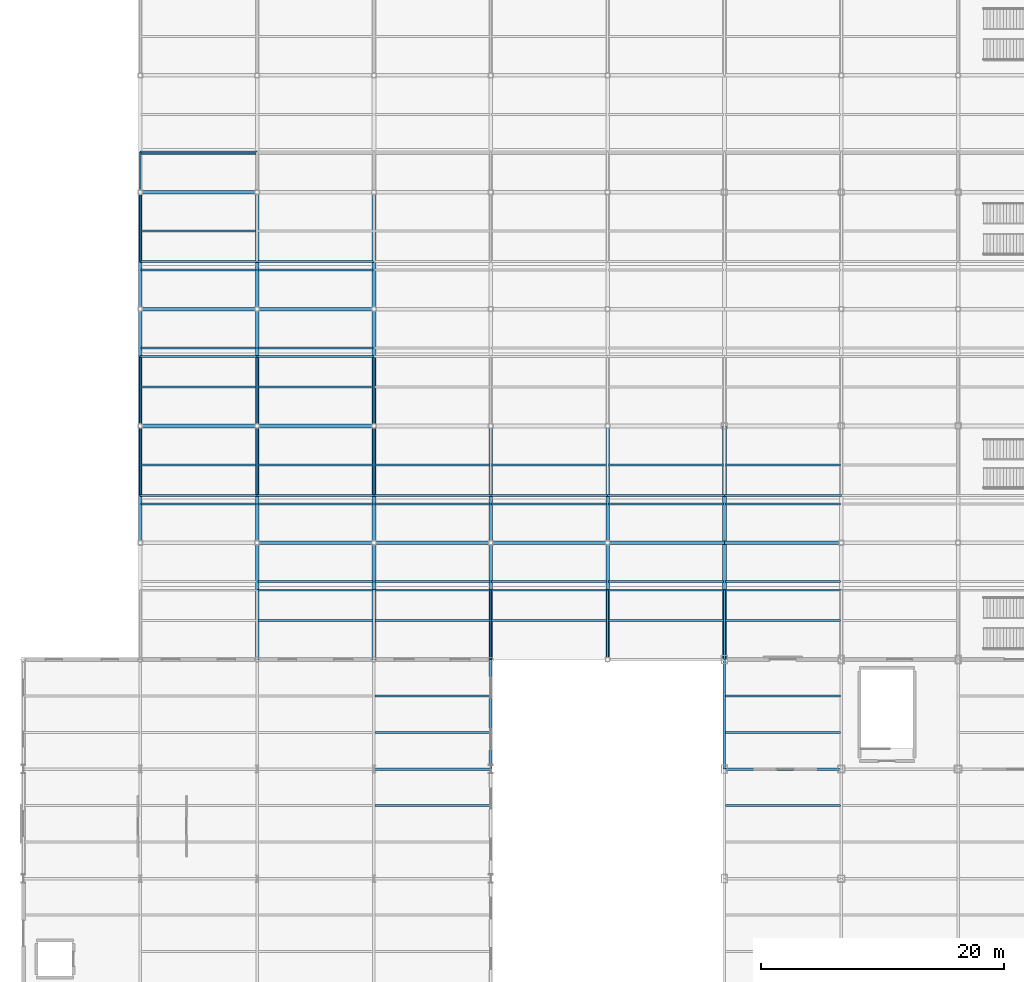
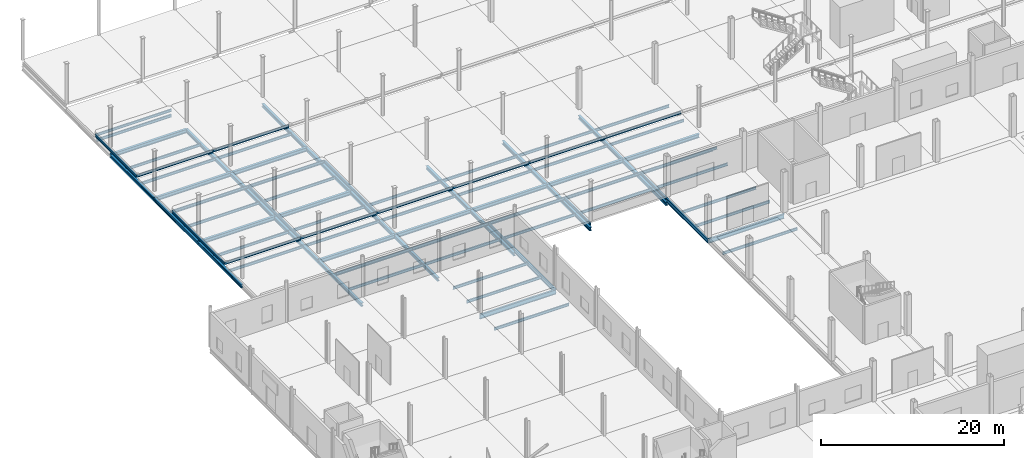
# One storey, part 29 of 85: 90 beams.
"""IFC4 building model written with IfcOpenShell, lengths in metres."""

from ifc_helpers import new_model, si_unit, direction, frame, origin, origin_2d, place, context, subcontext, project, spatial, i_section, extrude, material, material_profile, profile_set, type_object, element, save


model = new_model("IFC4")

# Units and contexts
model_context = context("Model", 3, precision=1e-05, world=origin(), true_north=direction((0.0, 1.0)))
body_context = subcontext(model_context, "Body", "Model", "MODEL_VIEW")
ifc_project = project(units=[si_unit("LENGTHUNIT", "METRE"), si_unit("AREAUNIT", "SQUARE_METRE"), si_unit("VOLUMEUNIT", "CUBIC_METRE"), si_unit("PLANEANGLEUNIT", "RADIAN"), si_unit("MASSUNIT", "GRAM", prefix="KILO")], contexts=[model_context])

# Site, building, storey
site_placement = place(None, origin())
site = spatial("IfcSite", under=ifc_project, at=site_placement, CompositionType="ELEMENT")
building_placement = place(site_placement, origin())
building = spatial("IfcBuilding", under=site, at=building_placement, Name="Zarnetskaya Central Station", CompositionType="ELEMENT")
storey_placement = place(building_placement, origin())
storey = spatial("IfcBuildingStorey", under=building, at=storey_placement, Name="L00", CompositionType="ELEMENT", Elevation=0.0)

# Beams
ifc_material = material(Name="Steel S355", Category="steel")
ifc_material_profile_1 = material_profile(ifc_material, i_section(OverallWidth=0.159912109375, OverallDepth=0.330078125, WebThickness=0.007568359375, FlangeThickness=0.011474609375, FilletRadius=0.01806640625, at=origin_2d()), Name="IPE 330")
ifc_profile_set_1 = profile_set([ifc_material_profile_1], Name="Steel S355")
beam_type_1 = type_object("IfcBeamType", Name="BM-SEC-330", PredefinedType="BEAM", material=ifc_profile_set_1)
for number, where, z_axis, x_axis, name in (
    (1, (38.39990234375, 67.199951171875, -0.455078125), (0.0, 1.0, 0.0), (-1.0, 0.0, 0.0), "Platform transverse bearer GY-PLT-P1-E"),
    (2, (48.0, 67.199951171875, -0.465087890625), (0.0, 1.0, 0.0), (-1.0, 0.0, 0.0), "Platform transverse bearer GY-PLT-P1-F"),
    (3, (57.60009765625, 67.199951171875, -0.465087890625), (0.0, 1.0, 0.0), (-1.0, 0.0, 0.0), "Platform transverse bearer GY-PLT-P1-G"),
):
    element("IfcBeam", number, at=place(storey_placement, frame(where, z_axis=z_axis, x_axis=x_axis)), inside=storey, type_object=beam_type_1, Name=name, PredefinedType="BEAM", context=body_context, shape_type="SweptSolid", body=[
        extrude(i_section(OverallWidth=0.159912109375, OverallDepth=0.330078125, WebThickness=0.007568359375, FlangeThickness=0.011474609375, FilletRadius=0.01806640625, at=origin_2d()), origin(), (0.0, 0.0, 1.0), 5.699951171875),
    ])
beam_1_placement = place(storey_placement, frame((19.199951171875, 72.89990234375, -0.455078125), z_axis=(1.0, 0.0, 0.0), x_axis=(0.0, 1.0, 0.0)))
element("IfcBeam", 4, at=beam_1_placement, inside=storey, type_object=beam_type_1, Name="Platform north edge beam GX-PLT-P1-CD-N", PredefinedType="BEAM", context=body_context, shape_type="SweptSolid", body=[
    extrude(i_section(OverallWidth=0.159912109375, OverallDepth=0.330078125, WebThickness=0.007568359375, FlangeThickness=0.011474609375, FilletRadius=0.01806640625, at=origin_2d()), origin(), (0.0, 0.0, 1.0), 9.60009765625),
])
beam_2_placement = place(storey_placement, frame((28.800048828125, 72.89990234375, -0.455078125), z_axis=(1.0, 0.0, 0.0), x_axis=(0.0, 1.0, 0.0)))
element("IfcBeam", 5, at=beam_2_placement, inside=storey, type_object=beam_type_1, Name="Platform north edge beam GX-PLT-P1-DE-N", PredefinedType="BEAM", context=body_context, shape_type="SweptSolid", body=[
    extrude(i_section(OverallWidth=0.159912109375, OverallDepth=0.330078125, WebThickness=0.007568359375, FlangeThickness=0.011474609375, FilletRadius=0.01806640625, at=origin_2d()), origin(), (0.0, 0.0, 1.0), 9.599853515625),
])
for number, where, z_axis, x_axis, name in (
    (6, (38.39990234375, 72.89990234375, -0.455078125), (1.0, 0.0, 0.0), (0.0, 1.0, 0.0), "Platform north edge beam GX-PLT-P1-EF-N"),
    (7, (48.0, 72.89990234375, -0.465087890625), (1.0, 0.0, 0.0), (0.0, 1.0, 0.0), "Platform north edge beam GX-PLT-P1-FG-N"),
):
    element("IfcBeam", number, at=place(storey_placement, frame(where, z_axis=z_axis, x_axis=x_axis)), inside=storey, type_object=beam_type_1, Name=name, PredefinedType="BEAM", context=body_context, shape_type="SweptSolid", body=[
        extrude(i_section(OverallWidth=0.159912109375, OverallDepth=0.330078125, WebThickness=0.007568359375, FlangeThickness=0.011474609375, FilletRadius=0.01806640625, at=origin_2d()), origin(), (0.0, 0.0, 1.0), 9.60009765625),
    ])
beam_3_placement = place(storey_placement, frame((57.60009765625, 72.89990234375, -0.465087890625), z_axis=(1.0, 0.0, 0.0), x_axis=(0.0, 1.0, 0.0)))
element("IfcBeam", 8, at=beam_3_placement, inside=storey, type_object=beam_type_1, Name="Platform north edge beam GX-PLT-P1-GH-N", PredefinedType="BEAM", context=body_context, shape_type="SweptSolid", body=[
    extrude(i_section(OverallWidth=0.159912109375, OverallDepth=0.330078125, WebThickness=0.007568359375, FlangeThickness=0.011474609375, FilletRadius=0.01806640625, at=origin_2d()), origin(), (0.0, 0.0, 1.0), 9.599853515625),
])
for number, where, z_axis, x_axis, name in (
    (9, (9.60009765625, 80.699951171875, -0.455078125), (0.0, 1.0, 0.0), (-1.0, 0.0, 0.0), "Platform transverse bearer GY-PLT-P2-B"),
    (10, (19.199951171875, 80.699951171875, -0.455078125), (0.0, 1.0, 0.0), (-1.0, 0.0, 0.0), "Platform transverse bearer GY-PLT-P2-C"),
    (11, (28.800048828125, 80.699951171875, -0.455078125), (0.0, 1.0, 0.0), (-1.0, 0.0, 0.0), "Platform transverse bearer GY-PLT-P2-D"),
):
    element("IfcBeam", number, at=place(storey_placement, frame(where, z_axis=z_axis, x_axis=x_axis)), inside=storey, type_object=beam_type_1, Name=name, PredefinedType="BEAM", context=body_context, shape_type="SweptSolid", body=[
        extrude(i_section(OverallWidth=0.159912109375, OverallDepth=0.330078125, WebThickness=0.007568359375, FlangeThickness=0.011474609375, FilletRadius=0.01806640625, at=origin_2d()), origin(), (0.0, 0.0, 1.0), 11.400146484375),
    ])
for number, where, z_axis, x_axis, name in (
    (12, (9.60009765625, 80.699951171875, -0.455078125), (1.0, 0.0, 0.0), (0.0, 1.0, 0.0), "Platform south edge beam GX-PLT-P2-BC-S"),
    (13, (9.60009765625, 92.10009765625, -0.455078125), (1.0, 0.0, 0.0), (0.0, 1.0, 0.0), "Platform north edge beam GX-PLT-P2-BC-N"),
):
    element("IfcBeam", number, at=place(storey_placement, frame(where, z_axis=z_axis, x_axis=x_axis)), inside=storey, type_object=beam_type_1, Name=name, PredefinedType="BEAM", context=body_context, shape_type="SweptSolid", body=[
        extrude(i_section(OverallWidth=0.159912109375, OverallDepth=0.330078125, WebThickness=0.007568359375, FlangeThickness=0.011474609375, FilletRadius=0.01806640625, at=origin_2d()), origin(), (0.0, 0.0, 1.0), 9.599853515625),
    ])
for number, where, z_axis, x_axis, name in (
    (14, (19.199951171875, 80.699951171875, -0.455078125), (1.0, 0.0, 0.0), (0.0, 1.0, 0.0), "Platform south edge beam GX-PLT-P2-CD-S"),
    (15, (19.199951171875, 92.10009765625, -0.455078125), (1.0, 0.0, 0.0), (0.0, 1.0, 0.0), "Platform north edge beam GX-PLT-P2-CD-N"),
):
    element("IfcBeam", number, at=place(storey_placement, frame(where, z_axis=z_axis, x_axis=x_axis)), inside=storey, type_object=beam_type_1, Name=name, PredefinedType="BEAM", context=body_context, shape_type="SweptSolid", body=[
        extrude(i_section(OverallWidth=0.159912109375, OverallDepth=0.330078125, WebThickness=0.007568359375, FlangeThickness=0.011474609375, FilletRadius=0.01806640625, at=origin_2d()), origin(), (0.0, 0.0, 1.0), 9.60009765625),
    ])
beam_4_placement = place(storey_placement, frame((28.800048828125, 80.699951171875, -0.455078125), z_axis=(1.0, 0.0, 0.0), x_axis=(0.0, 1.0, 0.0)))
element("IfcBeam", 16, at=beam_4_placement, inside=storey, type_object=beam_type_1, Name="Platform south edge beam GX-PLT-P2-DE-S", PredefinedType="BEAM", context=body_context, shape_type="SweptSolid", body=[
    extrude(i_section(OverallWidth=0.159912109375, OverallDepth=0.330078125, WebThickness=0.007568359375, FlangeThickness=0.011474609375, FilletRadius=0.01806640625, at=origin_2d()), origin(), (0.0, 0.0, 1.0), 9.599853515625),
])
for number, where, z_axis, x_axis, name in (
    (17, (38.39990234375, 80.699951171875, -0.455078125), (1.0, 0.0, 0.0), (0.0, 1.0, 0.0), "Platform south edge beam GX-PLT-P2-EF-S"),
    (18, (48.0, 80.699951171875, -0.465087890625), (1.0, 0.0, 0.0), (0.0, 1.0, 0.0), "Platform south edge beam GX-PLT-P2-FG-S"),
):
    element("IfcBeam", number, at=place(storey_placement, frame(where, z_axis=z_axis, x_axis=x_axis)), inside=storey, type_object=beam_type_1, Name=name, PredefinedType="BEAM", context=body_context, shape_type="SweptSolid", body=[
        extrude(i_section(OverallWidth=0.159912109375, OverallDepth=0.330078125, WebThickness=0.007568359375, FlangeThickness=0.011474609375, FilletRadius=0.01806640625, at=origin_2d()), origin(), (0.0, 0.0, 1.0), 9.60009765625),
    ])
beam_5_placement = place(storey_placement, frame((57.60009765625, 80.699951171875, -0.465087890625), z_axis=(1.0, 0.0, 0.0), x_axis=(0.0, 1.0, 0.0)))
element("IfcBeam", 19, at=beam_5_placement, inside=storey, type_object=beam_type_1, Name="Platform south edge beam GX-PLT-P2-GH-S", PredefinedType="BEAM", context=body_context, shape_type="SweptSolid", body=[
    extrude(i_section(OverallWidth=0.159912109375, OverallDepth=0.330078125, WebThickness=0.007568359375, FlangeThickness=0.011474609375, FilletRadius=0.01806640625, at=origin_2d()), origin(), (0.0, 0.0, 1.0), 9.599853515625),
])
beam_6_placement = place(storey_placement, frame((9.60009765625, 99.89990234375, -0.455078125), z_axis=(0.0, 1.0, 0.0), x_axis=(-1.0, 0.0, 0.0)))
element("IfcBeam", 20, at=beam_6_placement, inside=storey, type_object=beam_type_1, Name="Platform transverse bearer GY-PLT-P3-B", PredefinedType="BEAM", context=body_context, shape_type="SweptSolid", body=[
    extrude(i_section(OverallWidth=0.159912109375, OverallDepth=0.330078125, WebThickness=0.007568359375, FlangeThickness=0.011474609375, FilletRadius=0.01806640625, at=origin_2d()), origin(), (0.0, 0.0, 1.0), 9.0),
])
for number, where, z_axis, x_axis, name in (
    (21, (9.60009765625, 99.89990234375, -0.455078125), (1.0, 0.0, 0.0), (0.0, 1.0, 0.0), "Platform south edge beam GX-PLT-P3-BC-S"),
    (22, (9.60009765625, 108.89990234375, -0.455078125), (1.0, 0.0, 0.0), (0.0, 1.0, 0.0), "Platform north edge beam GX-PLT-P3-BC-N"),
):
    element("IfcBeam", number, at=place(storey_placement, frame(where, z_axis=z_axis, x_axis=x_axis)), inside=storey, type_object=beam_type_1, Name=name, PredefinedType="BEAM", context=body_context, shape_type="SweptSolid", body=[
        extrude(i_section(OverallWidth=0.159912109375, OverallDepth=0.330078125, WebThickness=0.007568359375, FlangeThickness=0.011474609375, FilletRadius=0.01806640625, at=origin_2d()), origin(), (0.0, 0.0, 1.0), 9.599853515625),
    ])
beam_7_placement = place(storey_placement, frame((19.199951171875, 99.89990234375, -0.455078125), z_axis=(1.0, 0.0, 0.0), x_axis=(0.0, 1.0, 0.0)))
element("IfcBeam", 23, at=beam_7_placement, inside=storey, type_object=beam_type_1, Name="Platform south edge beam GX-PLT-P3-CD-S", PredefinedType="BEAM", context=body_context, shape_type="SweptSolid", body=[
    extrude(i_section(OverallWidth=0.159912109375, OverallDepth=0.330078125, WebThickness=0.007568359375, FlangeThickness=0.011474609375, FilletRadius=0.01806640625, at=origin_2d()), origin(), (0.0, 0.0, 1.0), 9.60009765625),
])
ifc_material_profile_2 = material_profile(ifc_material, i_section(OverallWidth=0.169921875, OverallDepth=0.360107421875, WebThickness=0.008056640625, FlangeThickness=0.0126953125, FilletRadius=0.01806640625, at=origin_2d()), Name="IPE 360")
ifc_profile_set_2 = profile_set([ifc_material_profile_2], Name="Steel S355")
beam_type_2 = type_object("IfcBeamType", Name="BM-SEC-360", PredefinedType="BEAM", material=ifc_profile_set_2)
for number, where, z_axis, x_axis, name in (
    (24, (28.8798828125, 55.199951171875, -0.5), (1.0, 0.0, 0.0), (0.0, 1.0, 0.0), "Secondary floor beam SEC-L00-Z32-DE-78-2"),
    (25, (28.8798828125, 61.199951171875, -0.5), (1.0, 0.0, 0.0), (0.0, 1.0, 0.0), "Secondary floor beam SEC-L00-Z32-DE-89-1"),
    (26, (28.8798828125, 64.199951171875, -0.5), (1.0, 0.0, 0.0), (0.0, 1.0, 0.0), "Secondary floor beam SEC-L00-Z32-DE-89-2"),
    (27, (57.679931640625, 55.199951171875, -0.5), (1.0, 0.0, 0.0), (0.0, 1.0, 0.0), "Secondary floor beam SEC-L00-Z32-GH-78-2"),
    (28, (57.679931640625, 61.199951171875, -0.5), (1.0, 0.0, 0.0), (0.0, 1.0, 0.0), "Secondary floor beam SEC-L00-Z32-GH-89-1"),
    (29, (57.679931640625, 64.199951171875, -0.5), (1.0, 0.0, 0.0), (0.0, 1.0, 0.0), "Secondary floor beam SEC-L00-Z32-GH-89-2"),
    (30, (9.679931640625, 80.0, -1.090087890625), (1.0, 0.0, 0.0), (0.0, 1.0, 0.0), "Secondary floor beam SEC-L00-Z91-BC-1011-1"),
    (31, (9.679931640625, 83.199951171875, -1.090087890625), (1.0, 0.0, 0.0), (0.0, 1.0, 0.0), "Secondary floor beam SEC-L00-Z91-BC-1011-2"),
    (32, (9.679931640625, 89.60009765625, -1.090087890625), (1.0, 0.0, 0.0), (0.0, 1.0, 0.0), "Secondary floor beam SEC-L00-Z91-BC-1112-1"),
    (33, (9.679931640625, 92.800048828125, -1.090087890625), (1.0, 0.0, 0.0), (0.0, 1.0, 0.0), "Secondary floor beam SEC-L00-Z91-BC-1112-2"),
    (34, (9.679931640625, 99.199951171875, -1.090087890625), (1.0, 0.0, 0.0), (0.0, 1.0, 0.0), "Secondary floor beam SEC-L00-Z91-BC-1213-1"),
    (35, (9.679931640625, 102.39990234375, -1.090087890625), (1.0, 0.0, 0.0), (0.0, 1.0, 0.0), "Secondary floor beam SEC-L00-Z91-BC-1213-2"),
    (36, (9.679931640625, 108.800048828125, -1.090087890625), (1.0, 0.0, 0.0), (0.0, 1.0, 0.0), "Secondary floor beam SEC-L00-Z91-BC-1314-1"),
):
    element("IfcBeam", number, at=place(storey_placement, frame(where, z_axis=z_axis, x_axis=x_axis)), inside=storey, type_object=beam_type_2, Name=name, PredefinedType="BEAM", context=body_context, shape_type="SweptSolid", body=[
        extrude(i_section(OverallWidth=0.169921875, OverallDepth=0.360107421875, WebThickness=0.008056640625, FlangeThickness=0.0126953125, FilletRadius=0.01806640625, at=origin_2d()), origin(), (0.0, 0.0, 1.0), 9.440185546875),
    ])
for number, where, z_axis, x_axis, name in (
    (37, (19.280029296875, 70.39990234375, -1.090087890625), (1.0, 0.0, 0.0), (0.0, 1.0, 0.0), "Secondary floor beam SEC-L00-Z91-CD-910-1"),
    (38, (19.280029296875, 73.60009765625, -1.090087890625), (1.0, 0.0, 0.0), (0.0, 1.0, 0.0), "Secondary floor beam SEC-L00-Z91-CD-910-2"),
    (39, (19.280029296875, 80.0, -1.090087890625), (1.0, 0.0, 0.0), (0.0, 1.0, 0.0), "Secondary floor beam SEC-L00-Z91-CD-1011-1"),
    (40, (19.280029296875, 83.199951171875, -1.090087890625), (1.0, 0.0, 0.0), (0.0, 1.0, 0.0), "Secondary floor beam SEC-L00-Z91-CD-1011-2"),
    (41, (19.280029296875, 89.60009765625, -1.090087890625), (1.0, 0.0, 0.0), (0.0, 1.0, 0.0), "Secondary floor beam SEC-L00-Z91-CD-1112-1"),
    (42, (19.280029296875, 92.800048828125, -1.090087890625), (1.0, 0.0, 0.0), (0.0, 1.0, 0.0), "Secondary floor beam SEC-L00-Z91-CD-1112-2"),
    (43, (19.280029296875, 99.199951171875, -1.090087890625), (1.0, 0.0, 0.0), (0.0, 1.0, 0.0), "Secondary floor beam SEC-L00-Z91-CD-1213-1"),
):
    element("IfcBeam", number, at=place(storey_placement, frame(where, z_axis=z_axis, x_axis=x_axis)), inside=storey, type_object=beam_type_2, Name=name, PredefinedType="BEAM", context=body_context, shape_type="SweptSolid", body=[
        extrude(i_section(OverallWidth=0.169921875, OverallDepth=0.360107421875, WebThickness=0.008056640625, FlangeThickness=0.0126953125, FilletRadius=0.01806640625, at=origin_2d()), origin(), (0.0, 0.0, 1.0), 9.43994140625),
    ])
for number, where, z_axis, x_axis, name in (
    (44, (28.8798828125, 70.39990234375, -1.090087890625), (1.0, 0.0, 0.0), (0.0, 1.0, 0.0), "Secondary floor beam SEC-L00-Z91-DE-910-1"),
    (45, (28.8798828125, 73.60009765625, -1.090087890625), (1.0, 0.0, 0.0), (0.0, 1.0, 0.0), "Secondary floor beam SEC-L00-Z91-DE-910-2"),
    (46, (28.8798828125, 80.0, -1.090087890625), (1.0, 0.0, 0.0), (0.0, 1.0, 0.0), "Secondary floor beam SEC-L00-Z91-DE-1011-1"),
    (47, (28.8798828125, 83.199951171875, -1.090087890625), (1.0, 0.0, 0.0), (0.0, 1.0, 0.0), "Secondary floor beam SEC-L00-Z91-DE-1011-2"),
):
    element("IfcBeam", number, at=place(storey_placement, frame(where, z_axis=z_axis, x_axis=x_axis)), inside=storey, type_object=beam_type_2, Name=name, PredefinedType="BEAM", context=body_context, shape_type="SweptSolid", body=[
        extrude(i_section(OverallWidth=0.169921875, OverallDepth=0.360107421875, WebThickness=0.008056640625, FlangeThickness=0.0126953125, FilletRadius=0.01806640625, at=origin_2d()), origin(), (0.0, 0.0, 1.0), 9.440185546875),
    ])
for number, where, z_axis, x_axis, name in (
    (48, (38.47998046875, 70.39990234375, -1.090087890625), (1.0, 0.0, 0.0), (0.0, 1.0, 0.0), "Secondary floor beam SEC-L00-Z91-EF-910-1"),
    (49, (38.47998046875, 73.60009765625, -1.090087890625), (1.0, 0.0, 0.0), (0.0, 1.0, 0.0), "Secondary floor beam SEC-L00-Z91-EF-910-2"),
    (50, (38.47998046875, 80.0, -1.090087890625), (1.0, 0.0, 0.0), (0.0, 1.0, 0.0), "Secondary floor beam SEC-L00-Z91-EF-1011-1"),
    (51, (38.47998046875, 83.199951171875, -1.090087890625), (1.0, 0.0, 0.0), (0.0, 1.0, 0.0), "Secondary floor beam SEC-L00-Z91-EF-1011-2"),
    (52, (48.080078125, 70.39990234375, -1.090087890625), (1.0, 0.0, 0.0), (0.0, 1.0, 0.0), "Secondary floor beam SEC-L00-Z91-FG-910-1"),
    (53, (48.080078125, 73.60009765625, -1.090087890625), (1.0, 0.0, 0.0), (0.0, 1.0, 0.0), "Secondary floor beam SEC-L00-Z91-FG-910-2"),
    (54, (48.080078125, 80.0, -1.090087890625), (1.0, 0.0, 0.0), (0.0, 1.0, 0.0), "Secondary floor beam SEC-L00-Z91-FG-1011-1"),
    (55, (48.080078125, 83.199951171875, -1.090087890625), (1.0, 0.0, 0.0), (0.0, 1.0, 0.0), "Secondary floor beam SEC-L00-Z91-FG-1011-2"),
):
    element("IfcBeam", number, at=place(storey_placement, frame(where, z_axis=z_axis, x_axis=x_axis)), inside=storey, type_object=beam_type_2, Name=name, PredefinedType="BEAM", context=body_context, shape_type="SweptSolid", body=[
        extrude(i_section(OverallWidth=0.169921875, OverallDepth=0.360107421875, WebThickness=0.008056640625, FlangeThickness=0.0126953125, FilletRadius=0.01806640625, at=origin_2d()), origin(), (0.0, 0.0, 1.0), 9.43994140625),
    ])
for number, where, z_axis, x_axis, name in (
    (56, (57.679931640625, 70.39990234375, -1.090087890625), (1.0, 0.0, 0.0), (0.0, 1.0, 0.0), "Secondary floor beam SEC-L00-Z91-GH-910-1"),
    (57, (57.679931640625, 73.60009765625, -1.090087890625), (1.0, 0.0, 0.0), (0.0, 1.0, 0.0), "Secondary floor beam SEC-L00-Z91-GH-910-2"),
    (58, (57.679931640625, 80.0, -1.090087890625), (1.0, 0.0, 0.0), (0.0, 1.0, 0.0), "Secondary floor beam SEC-L00-Z91-GH-1011-1"),
    (59, (57.679931640625, 83.199951171875, -1.090087890625), (1.0, 0.0, 0.0), (0.0, 1.0, 0.0), "Secondary floor beam SEC-L00-Z91-GH-1011-2"),
):
    element("IfcBeam", number, at=place(storey_placement, frame(where, z_axis=z_axis, x_axis=x_axis)), inside=storey, type_object=beam_type_2, Name=name, PredefinedType="BEAM", context=body_context, shape_type="SweptSolid", body=[
        extrude(i_section(OverallWidth=0.169921875, OverallDepth=0.360107421875, WebThickness=0.008056640625, FlangeThickness=0.0126953125, FilletRadius=0.01806640625, at=origin_2d()), origin(), (0.0, 0.0, 1.0), 9.440185546875),
    ])
ifc_material_profile_3 = material_profile(ifc_material, i_section(OverallWidth=0.2099609375, OverallDepth=0.550048828125, WebThickness=0.010986328125, FlangeThickness=0.01708984375, FilletRadius=0.02392578125, at=origin_2d()), Name="IPE 550")
ifc_profile_set_3 = profile_set([ifc_material_profile_3], Name="Steel S355")
beam_type_3 = type_object("IfcBeamType", Name="GD-FLR-550", PredefinedType="USERDEFINED", material=ifc_profile_set_3)
for number, where, z_axis, x_axis, name in (
    (60, (38.39990234375, 58.199951171875, -0.594970703125), (0.0, 1.0, 0.0), (-1.0, 0.0, 0.0), "Grid girder GY-L00-E-89"),
    (61, (57.60009765625, 58.199951171875, -0.594970703125), (0.0, 1.0, 0.0), (-1.0, 0.0, 0.0), "Grid girder GY-L00-G-89"),
):
    element("IfcBeam", number, at=place(storey_placement, frame(where, z_axis=z_axis, x_axis=x_axis)), inside=storey, type_object=beam_type_3, Name=name, ObjectType="GIRDER", PredefinedType="USERDEFINED", context=body_context, shape_type="SweptSolid", body=[
        extrude(i_section(OverallWidth=0.2099609375, OverallDepth=0.550048828125, WebThickness=0.010986328125, FlangeThickness=0.01708984375, FilletRadius=0.02392578125, at=origin_2d()), origin(), (0.0, 0.0, 1.0), 9.0),
    ])
ifc_material_profile_4 = material_profile(ifc_material, i_section(OverallWidth=0.219970703125, OverallDepth=0.60009765625, WebThickness=0.011962890625, FlangeThickness=0.01904296875, FilletRadius=0.02392578125, at=origin_2d()), Name="IPE 600")
ifc_profile_set_4 = profile_set([ifc_material_profile_4], Name="Steel S355")
beam_type_4 = type_object("IfcBeamType", Name="GD-FLR-600", PredefinedType="USERDEFINED", material=ifc_profile_set_4)
for number, where, z_axis, x_axis, name in (
    (62, (28.800048828125, 58.199951171875, -0.6201171875), (1.0, 0.0, 0.0), (0.0, 1.0, 0.0), "Grid girder GX-L00-8-DE"),
    (63, (57.60009765625, 58.199951171875, -0.6201171875), (1.0, 0.0, 0.0), (0.0, 1.0, 0.0), "Grid girder GX-L00-8-GH"),
):
    element("IfcBeam", number, at=place(storey_placement, frame(where, z_axis=z_axis, x_axis=x_axis)), inside=storey, type_object=beam_type_4, Name=name, ObjectType="GIRDER", PredefinedType="USERDEFINED", context=body_context, shape_type="SweptSolid", body=[
        extrude(i_section(OverallWidth=0.219970703125, OverallDepth=0.60009765625, WebThickness=0.011962890625, FlangeThickness=0.01904296875, FilletRadius=0.02392578125, at=origin_2d()), origin(), (0.0, 0.0, 1.0), 9.599853515625),
    ])
ifc_material_profile_5 = material_profile(ifc_material, i_section(OverallWidth=0.300048828125, OverallDepth=0.449951171875, WebThickness=0.013916015625, FlangeThickness=0.02587890625, FilletRadius=0.027099609375, at=origin_2d()), Name="HEB 450")
ifc_profile_set_5 = profile_set([ifc_material_profile_5], Name="Steel S355")
beam_type_5 = type_object("IfcBeamType", Name="GD-SUB-450", PredefinedType="USERDEFINED", material=ifc_profile_set_5)
beam_8_placement = place(storey_placement, frame((9.60009765625, 76.800048828125, -1.135009765625), z_axis=(0.0, 1.0, 0.0), x_axis=(-1.0, 0.0, 0.0)))
element("IfcBeam", 64, at=beam_8_placement, inside=storey, type_object=beam_type_5, Name="Grid girder GY-L00-B-1011", ObjectType="GIRDER", PredefinedType="USERDEFINED", context=body_context, shape_type="SweptSolid", body=[
    extrude(i_section(OverallWidth=0.300048828125, OverallDepth=0.449951171875, WebThickness=0.013916015625, FlangeThickness=0.02587890625, FilletRadius=0.027099609375, at=origin_2d()), origin(), (0.0, 0.0, 1.0), 9.599853515625),
])
for number, where, z_axis, x_axis, name in (
    (65, (9.60009765625, 86.39990234375, -1.135009765625), (0.0, 1.0, 0.0), (-1.0, 0.0, 0.0), "Grid girder GY-L00-B-1112"),
    (66, (9.60009765625, 96.0, -1.135009765625), (0.0, 1.0, 0.0), (-1.0, 0.0, 0.0), "Grid girder GY-L00-B-1213"),
    (67, (19.199951171875, 67.199951171875, -1.135009765625), (0.0, 1.0, 0.0), (-1.0, 0.0, 0.0), "Grid girder GY-L00-C-910"),
):
    element("IfcBeam", number, at=place(storey_placement, frame(where, z_axis=z_axis, x_axis=x_axis)), inside=storey, type_object=beam_type_5, Name=name, ObjectType="GIRDER", PredefinedType="USERDEFINED", context=body_context, shape_type="SweptSolid", body=[
        extrude(i_section(OverallWidth=0.300048828125, OverallDepth=0.449951171875, WebThickness=0.013916015625, FlangeThickness=0.02587890625, FilletRadius=0.027099609375, at=origin_2d()), origin(), (0.0, 0.0, 1.0), 9.60009765625),
    ])
beam_9_placement = place(storey_placement, frame((19.199951171875, 76.800048828125, -1.135009765625), z_axis=(0.0, 1.0, 0.0), x_axis=(-1.0, 0.0, 0.0)))
element("IfcBeam", 68, at=beam_9_placement, inside=storey, type_object=beam_type_5, Name="Grid girder GY-L00-C-1011", ObjectType="GIRDER", PredefinedType="USERDEFINED", context=body_context, shape_type="SweptSolid", body=[
    extrude(i_section(OverallWidth=0.300048828125, OverallDepth=0.449951171875, WebThickness=0.013916015625, FlangeThickness=0.02587890625, FilletRadius=0.027099609375, at=origin_2d()), origin(), (0.0, 0.0, 1.0), 9.599853515625),
])
for number, where, z_axis, x_axis, name in (
    (69, (19.199951171875, 86.39990234375, -1.135009765625), (0.0, 1.0, 0.0), (-1.0, 0.0, 0.0), "Grid girder GY-L00-C-1112"),
    (70, (19.199951171875, 96.0, -1.135009765625), (0.0, 1.0, 0.0), (-1.0, 0.0, 0.0), "Grid girder GY-L00-C-1213"),
    (71, (28.800048828125, 67.199951171875, -1.135009765625), (0.0, 1.0, 0.0), (-1.0, 0.0, 0.0), "Grid girder GY-L00-D-910"),
):
    element("IfcBeam", number, at=place(storey_placement, frame(where, z_axis=z_axis, x_axis=x_axis)), inside=storey, type_object=beam_type_5, Name=name, ObjectType="GIRDER", PredefinedType="USERDEFINED", context=body_context, shape_type="SweptSolid", body=[
        extrude(i_section(OverallWidth=0.300048828125, OverallDepth=0.449951171875, WebThickness=0.013916015625, FlangeThickness=0.02587890625, FilletRadius=0.027099609375, at=origin_2d()), origin(), (0.0, 0.0, 1.0), 9.60009765625),
    ])
beam_10_placement = place(storey_placement, frame((28.800048828125, 76.800048828125, -1.135009765625), z_axis=(0.0, 1.0, 0.0), x_axis=(-1.0, 0.0, 0.0)))
element("IfcBeam", 72, at=beam_10_placement, inside=storey, type_object=beam_type_5, Name="Grid girder GY-L00-D-1011", ObjectType="GIRDER", PredefinedType="USERDEFINED", context=body_context, shape_type="SweptSolid", body=[
    extrude(i_section(OverallWidth=0.300048828125, OverallDepth=0.449951171875, WebThickness=0.013916015625, FlangeThickness=0.02587890625, FilletRadius=0.027099609375, at=origin_2d()), origin(), (0.0, 0.0, 1.0), 9.599853515625),
])
for number, where, z_axis, x_axis, name in (
    (73, (28.800048828125, 86.39990234375, -1.135009765625), (0.0, 1.0, 0.0), (-1.0, 0.0, 0.0), "Grid girder GY-L00-D-1112"),
    (74, (28.800048828125, 96.0, -1.135009765625), (0.0, 1.0, 0.0), (-1.0, 0.0, 0.0), "Grid girder GY-L00-D-1213"),
    (75, (38.39990234375, 67.199951171875, -1.135009765625), (0.0, 1.0, 0.0), (-1.0, 0.0, 0.0), "Grid girder GY-L00-E-910"),
):
    element("IfcBeam", number, at=place(storey_placement, frame(where, z_axis=z_axis, x_axis=x_axis)), inside=storey, type_object=beam_type_5, Name=name, ObjectType="GIRDER", PredefinedType="USERDEFINED", context=body_context, shape_type="SweptSolid", body=[
        extrude(i_section(OverallWidth=0.300048828125, OverallDepth=0.449951171875, WebThickness=0.013916015625, FlangeThickness=0.02587890625, FilletRadius=0.027099609375, at=origin_2d()), origin(), (0.0, 0.0, 1.0), 9.60009765625),
    ])
beam_11_placement = place(storey_placement, frame((38.39990234375, 76.800048828125, -1.135009765625), z_axis=(0.0, 1.0, 0.0), x_axis=(-1.0, 0.0, 0.0)))
element("IfcBeam", 76, at=beam_11_placement, inside=storey, type_object=beam_type_5, Name="Grid girder GY-L00-E-1011", ObjectType="GIRDER", PredefinedType="USERDEFINED", context=body_context, shape_type="SweptSolid", body=[
    extrude(i_section(OverallWidth=0.300048828125, OverallDepth=0.449951171875, WebThickness=0.013916015625, FlangeThickness=0.02587890625, FilletRadius=0.027099609375, at=origin_2d()), origin(), (0.0, 0.0, 1.0), 9.599853515625),
])
beam_12_placement = place(storey_placement, frame((48.0, 67.199951171875, -1.135009765625), z_axis=(0.0, 1.0, 0.0), x_axis=(-1.0, 0.0, 0.0)))
element("IfcBeam", 77, at=beam_12_placement, inside=storey, type_object=beam_type_5, Name="Grid girder GY-L00-F-910", ObjectType="GIRDER", PredefinedType="USERDEFINED", context=body_context, shape_type="SweptSolid", body=[
    extrude(i_section(OverallWidth=0.300048828125, OverallDepth=0.449951171875, WebThickness=0.013916015625, FlangeThickness=0.02587890625, FilletRadius=0.027099609375, at=origin_2d()), origin(), (0.0, 0.0, 1.0), 9.60009765625),
])
beam_13_placement = place(storey_placement, frame((48.0, 76.800048828125, -1.135009765625), z_axis=(0.0, 1.0, 0.0), x_axis=(-1.0, 0.0, 0.0)))
element("IfcBeam", 78, at=beam_13_placement, inside=storey, type_object=beam_type_5, Name="Grid girder GY-L00-F-1011", ObjectType="GIRDER", PredefinedType="USERDEFINED", context=body_context, shape_type="SweptSolid", body=[
    extrude(i_section(OverallWidth=0.300048828125, OverallDepth=0.449951171875, WebThickness=0.013916015625, FlangeThickness=0.02587890625, FilletRadius=0.027099609375, at=origin_2d()), origin(), (0.0, 0.0, 1.0), 9.599853515625),
])
beam_14_placement = place(storey_placement, frame((57.60009765625, 67.199951171875, -1.135009765625), z_axis=(0.0, 1.0, 0.0), x_axis=(-1.0, 0.0, 0.0)))
element("IfcBeam", 79, at=beam_14_placement, inside=storey, type_object=beam_type_5, Name="Grid girder GY-L00-G-910", ObjectType="GIRDER", PredefinedType="USERDEFINED", context=body_context, shape_type="SweptSolid", body=[
    extrude(i_section(OverallWidth=0.300048828125, OverallDepth=0.449951171875, WebThickness=0.013916015625, FlangeThickness=0.02587890625, FilletRadius=0.027099609375, at=origin_2d()), origin(), (0.0, 0.0, 1.0), 9.60009765625),
])
beam_15_placement = place(storey_placement, frame((57.60009765625, 76.800048828125, -1.135009765625), z_axis=(0.0, 1.0, 0.0), x_axis=(-1.0, 0.0, 0.0)))
element("IfcBeam", 80, at=beam_15_placement, inside=storey, type_object=beam_type_5, Name="Grid girder GY-L00-G-1011", ObjectType="GIRDER", PredefinedType="USERDEFINED", context=body_context, shape_type="SweptSolid", body=[
    extrude(i_section(OverallWidth=0.300048828125, OverallDepth=0.449951171875, WebThickness=0.013916015625, FlangeThickness=0.02587890625, FilletRadius=0.027099609375, at=origin_2d()), origin(), (0.0, 0.0, 1.0), 9.599853515625),
])
ifc_material_profile_6 = material_profile(ifc_material, i_section(OverallWidth=0.300048828125, OverallDepth=0.5, WebThickness=0.014404296875, FlangeThickness=0.028076171875, FilletRadius=0.027099609375, at=origin_2d()), Name="HEB 500")
ifc_profile_set_6 = profile_set([ifc_material_profile_6], Name="Steel S355")
beam_type_6 = type_object("IfcBeamType", Name="GD-SUB-500", PredefinedType="USERDEFINED", material=ifc_profile_set_6)
for number, where, z_axis, x_axis, name in (
    (81, (9.60009765625, 86.39990234375, -1.159912109375), (1.0, 0.0, 0.0), (0.0, 1.0, 0.0), "Grid girder GX-L00-11-BC"),
    (82, (9.60009765625, 96.0, -1.159912109375), (1.0, 0.0, 0.0), (0.0, 1.0, 0.0), "Grid girder GX-L00-12-BC"),
    (83, (9.60009765625, 105.60009765625, -1.159912109375), (1.0, 0.0, 0.0), (0.0, 1.0, 0.0), "Grid girder GX-L00-13-BC"),
):
    element("IfcBeam", number, at=place(storey_placement, frame(where, z_axis=z_axis, x_axis=x_axis)), inside=storey, type_object=beam_type_6, Name=name, ObjectType="GIRDER", PredefinedType="USERDEFINED", context=body_context, shape_type="SweptSolid", body=[
        extrude(i_section(OverallWidth=0.300048828125, OverallDepth=0.5, WebThickness=0.014404296875, FlangeThickness=0.028076171875, FilletRadius=0.027099609375, at=origin_2d()), origin(), (0.0, 0.0, 1.0), 9.599853515625),
    ])
for number, where, z_axis, x_axis, name in (
    (84, (19.199951171875, 76.800048828125, -1.159912109375), (1.0, 0.0, 0.0), (0.0, 1.0, 0.0), "Grid girder GX-L00-10-CD"),
    (85, (19.199951171875, 86.39990234375, -1.159912109375), (1.0, 0.0, 0.0), (0.0, 1.0, 0.0), "Grid girder GX-L00-11-CD"),
    (86, (19.199951171875, 96.0, -1.159912109375), (1.0, 0.0, 0.0), (0.0, 1.0, 0.0), "Grid girder GX-L00-12-CD"),
):
    element("IfcBeam", number, at=place(storey_placement, frame(where, z_axis=z_axis, x_axis=x_axis)), inside=storey, type_object=beam_type_6, Name=name, ObjectType="GIRDER", PredefinedType="USERDEFINED", context=body_context, shape_type="SweptSolid", body=[
        extrude(i_section(OverallWidth=0.300048828125, OverallDepth=0.5, WebThickness=0.014404296875, FlangeThickness=0.028076171875, FilletRadius=0.027099609375, at=origin_2d()), origin(), (0.0, 0.0, 1.0), 9.60009765625),
    ])
beam_16_placement = place(storey_placement, frame((28.800048828125, 76.800048828125, -1.159912109375), z_axis=(1.0, 0.0, 0.0), x_axis=(0.0, 1.0, 0.0)))
element("IfcBeam", 87, at=beam_16_placement, inside=storey, type_object=beam_type_6, Name="Grid girder GX-L00-10-DE", ObjectType="GIRDER", PredefinedType="USERDEFINED", context=body_context, shape_type="SweptSolid", body=[
    extrude(i_section(OverallWidth=0.300048828125, OverallDepth=0.5, WebThickness=0.014404296875, FlangeThickness=0.028076171875, FilletRadius=0.027099609375, at=origin_2d()), origin(), (0.0, 0.0, 1.0), 9.599853515625),
])
for number, where, z_axis, x_axis, name in (
    (88, (38.39990234375, 76.800048828125, -1.159912109375), (1.0, 0.0, 0.0), (0.0, 1.0, 0.0), "Grid girder GX-L00-10-EF"),
    (89, (48.0, 76.800048828125, -1.159912109375), (1.0, 0.0, 0.0), (0.0, 1.0, 0.0), "Grid girder GX-L00-10-FG"),
):
    element("IfcBeam", number, at=place(storey_placement, frame(where, z_axis=z_axis, x_axis=x_axis)), inside=storey, type_object=beam_type_6, Name=name, ObjectType="GIRDER", PredefinedType="USERDEFINED", context=body_context, shape_type="SweptSolid", body=[
        extrude(i_section(OverallWidth=0.300048828125, OverallDepth=0.5, WebThickness=0.014404296875, FlangeThickness=0.028076171875, FilletRadius=0.027099609375, at=origin_2d()), origin(), (0.0, 0.0, 1.0), 9.60009765625),
    ])
beam_17_placement = place(storey_placement, frame((57.60009765625, 76.800048828125, -1.159912109375), z_axis=(1.0, 0.0, 0.0), x_axis=(0.0, 1.0, 0.0)))
element("IfcBeam", 90, at=beam_17_placement, inside=storey, type_object=beam_type_6, Name="Grid girder GX-L00-10-GH", ObjectType="GIRDER", PredefinedType="USERDEFINED", context=body_context, shape_type="SweptSolid", body=[
    extrude(i_section(OverallWidth=0.300048828125, OverallDepth=0.5, WebThickness=0.014404296875, FlangeThickness=0.028076171875, FilletRadius=0.027099609375, at=origin_2d()), origin(), (0.0, 0.0, 1.0), 9.599853515625),
])

save(model, "model.ifc")
